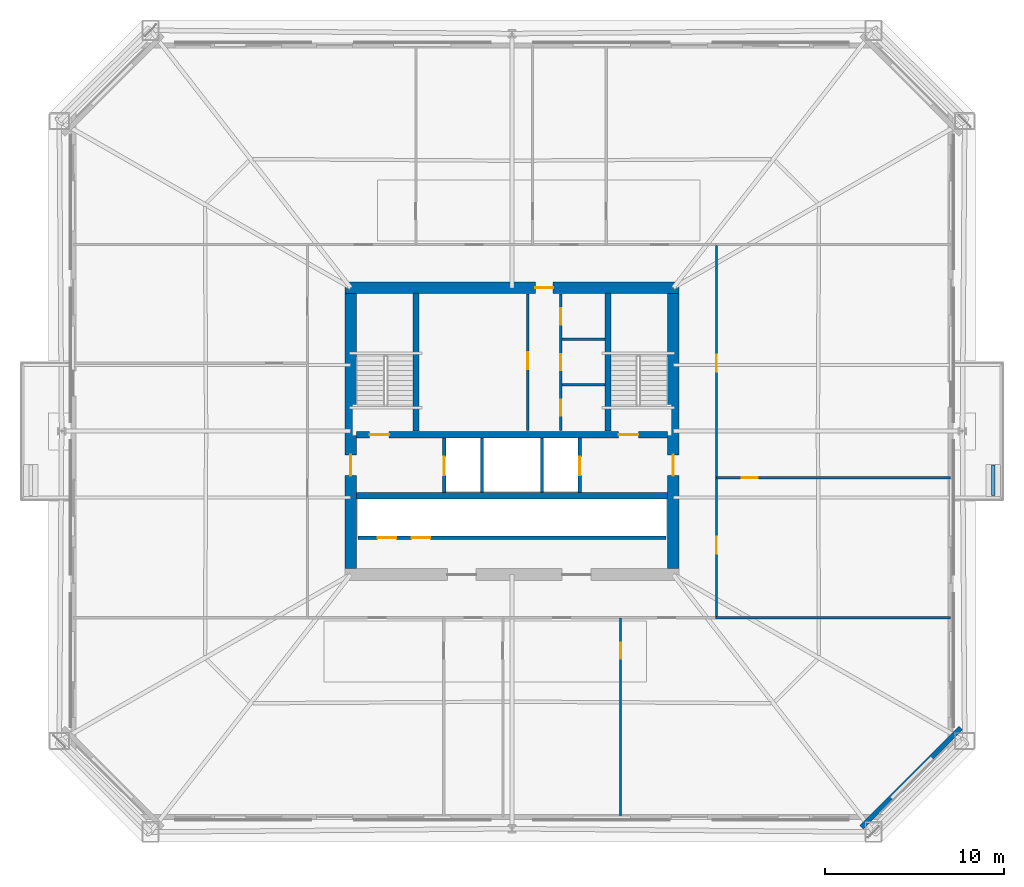
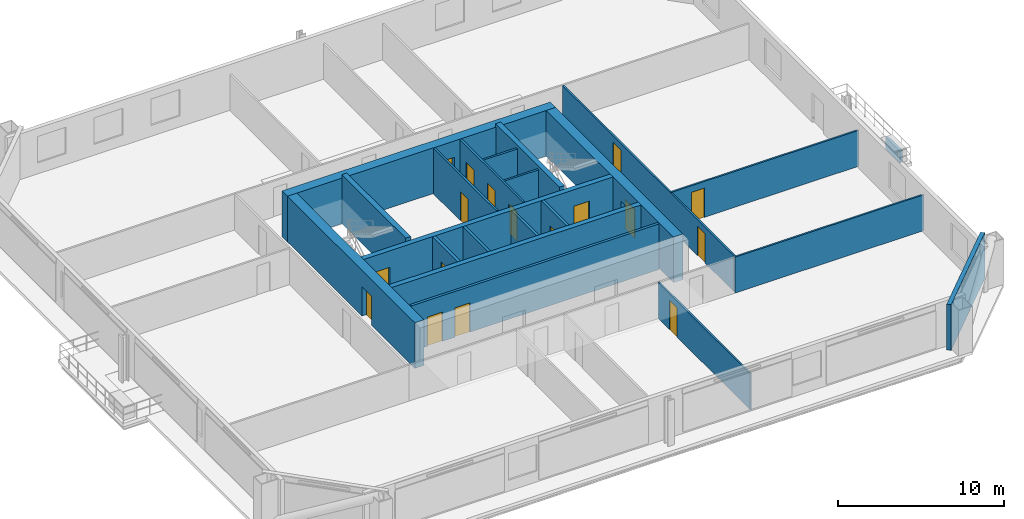
# One storey, part 6 of 11: 22 walls, 17 doors, 17 openings.
"""IFC4 building model written with IfcOpenShell, lengths in metres."""

from ifc_helpers import new_model, si_unit, direction, frame, frame_2d, origin, place, context, subcontext, project, spatial, rectangle, extrude, material, layer, layer_set, type_object, element, fill, save


model = new_model("IFC4")

# Units and contexts
model_context = context("Model", 3, precision=1e-05, world=origin(), true_north=direction((0.0, 1.0)))
body_context = subcontext(model_context, "Body", "Model", "MODEL_VIEW")
ifc_project = project(units=[si_unit("LENGTHUNIT", "METRE"), si_unit("AREAUNIT", "SQUARE_METRE"), si_unit("VOLUMEUNIT", "CUBIC_METRE"), si_unit("PLANEANGLEUNIT", "RADIAN"), si_unit("MASSUNIT", "GRAM", prefix="KILO")], contexts=[model_context])

# Site, building, storey
site_placement = place(None, origin())
site = spatial("IfcSite", under=ifc_project, at=site_placement, CompositionType="ELEMENT")
building_placement = place(site_placement, origin())
building = spatial("IfcBuilding", under=site, at=building_placement, Name="Caelvoria Tower", CompositionType="ELEMENT")
storey_placement = place(building_placement, frame((0.0, 0.0, 64.0)))
storey = spatial("IfcBuildingStorey", under=building, at=storey_placement, Name="L16", CompositionType="ELEMENT", Elevation=64.0)

# Wall
ifc_material_1 = material(Name="Bronze-Clad Concrete C40/50", Category="concrete")
ifc_layer_1 = layer(ifc_material_1, 0.179931640625, Name="Bronze-Clad Concrete C40/50")
ifc_layer_set_1 = layer_set([ifc_layer_1], Name="Architectural Planter Kerb Wall 180 - Bronze-Clad Concrete C40/50")
wall_type_1 = type_object("IfcWallType", Name="Architectural Planter Kerb Wall 180", PredefinedType="PARAPET", material=ifc_layer_set_1)
wall_1_placement = place(storey_placement, frame((72.85009765625, 28.39990234375, 0.0), z_axis=(0.0, 0.0, 1.0), x_axis=(0.0, 1.0, 0.0)))
element("IfcWall", 1, at=wall_1_placement, inside=storey, type_object=wall_type_1, Name="Tree Balcony Planter Kerb PLANTER TB-L16-E", PredefinedType="PARAPET", context=body_context, shape_type="SweptSolid", body=[
    extrude(rectangle(XDim=1.7001953125, YDim=0.179931640625, at=frame_2d((0.85009765625, 0.0))), origin(), (0.0, 0.0, 1.0), 0.8798828125),
])

# Wall, openings, doors
ifc_material_2 = material(Name="Concrete C50/60", Category="concrete")
ifc_layer_2 = layer(ifc_material_2, 0.35009765625, Name="Concrete C50/60")
ifc_layer_set_2 = layer_set([ifc_layer_2], Name="Core Internal Shear Wall 350 - Concrete C50/60")
wall_type_2 = type_object("IfcWallType", Name="Core Internal Shear Wall 350", PredefinedType="SHEAR", material=ifc_layer_set_2)
wall_2_placement = place(storey_placement, frame((37.324951171875, 31.800048828125, 0.0), z_axis=(0.0, 0.0, 1.0), x_axis=(1.0, 0.0, 0.0)))
wall_2 = element("IfcWall", 2, at=wall_2_placement, inside=storey, type_object=wall_type_2, Name="Core Shear Wall L16 M1", PredefinedType="SHEAR", context=body_context, shape_type="SweptSolid", body=[
    extrude(rectangle(XDim=17.35009765625, YDim=0.35009765625, at=frame_2d((8.675048828125, 0.0))), origin(), (0.0, 0.0, 1.0), 3.360107421875),
])
opening_1_placement = place(wall_2_placement, frame((0.72509765625, 0.0, 0.0)))
opening_1 = element("IfcOpeningElement", 3, at=opening_1_placement, cuts=wall_2, Name="Opening ID-01", PredefinedType="OPENING", context=body_context, shape_type="SweptSolid", body=[
    extrude(rectangle(XDim=1.10009765625, YDim=2.14990234375, at=frame_2d((0.550048828125, 1.074951171875))), frame((0.0, 0.18505859375, 0.0), z_axis=(0.0, -1.0, 0.0), x_axis=(1.0, 0.0, 0.0)), (0.0, 0.0, 1.0), 0.3701171875),
])
opening_2_placement = place(wall_2_placement, frame((14.625, 0.0, 0.0)))
opening_2 = element("IfcOpeningElement", 4, at=opening_2_placement, cuts=wall_2, Name="Opening ID-01", PredefinedType="OPENING", context=body_context, shape_type="SweptSolid", body=[
    extrude(rectangle(XDim=1.10009765625, YDim=2.14990234375, at=frame_2d((0.550048828125, 1.074951171875))), frame((0.0, 0.18505859375, 0.0), z_axis=(0.0, -1.0, 0.0), x_axis=(1.0, 0.0, 0.0)), (0.0, 0.0, 1.0), 0.3701171875),
])
ifc_material_3 = material(Name="Painted Hollow Steel Fire Door", Category="steel")
door_type_1 = type_object("IfcDoorType", Name="Fire Door FD90S 1100x2150", OperationType="NOTDEFINED", PredefinedType="DOOR", material=ifc_material_3)
door_1_placement = place(opening_1_placement, origin())
door_1 = element("IfcDoor", 5, at=door_1_placement, inside=storey, type_object=door_type_1, Name="Core Door DR-L16-ST1", OperationType="SINGLE_SWING_LEFT", OverallHeight=2.14990234375, OverallWidth=1.10009765625, PredefinedType="DOOR", context=body_context, shape_type="SweptSolid", body=[
    extrude(rectangle(XDim=1.10009765625, YDim=2.14990234375, at=frame_2d((0.550048828125, 1.074951171875))), frame((0.0, 0.02490234375, 0.0), z_axis=(0.0, -1.0, 0.0), x_axis=(1.0, 0.0, 0.0)), (0.0, 0.0, 1.0), 0.050048828125),
])
fill(opening_1, door_1)
door_2_placement = place(opening_2_placement, origin())
door_2 = element("IfcDoor", 6, at=door_2_placement, inside=storey, type_object=door_type_1, Name="Core Door DR-L16-ST2", OperationType="SINGLE_SWING_RIGHT", OverallHeight=2.14990234375, OverallWidth=1.10009765625, PredefinedType="DOOR", context=body_context, shape_type="SweptSolid", body=[
    extrude(rectangle(XDim=1.10009765625, YDim=2.14990234375, at=frame_2d((0.550048828125, 1.074951171875))), frame((0.0, 0.02490234375, 0.0), z_axis=(0.0, -1.0, 0.0), x_axis=(1.0, 0.0, 0.0)), (0.0, 0.0, 1.0), 0.050048828125),
])
fill(opening_2, door_2)

# Walls
wall_3_placement = place(storey_placement, frame((37.324951171875, 28.39990234375, 0.0), z_axis=(0.0, 0.0, 1.0), x_axis=(1.0, 0.0, 0.0)))
element("IfcWall", 7, at=wall_3_placement, inside=storey, type_object=wall_type_2, Name="Core Shear Wall L16 M2", PredefinedType="SHEAR", context=body_context, shape_type="SweptSolid", body=[
    extrude(rectangle(XDim=17.35009765625, YDim=0.35009765625, at=frame_2d((8.675048828125, 0.0))), origin(), (0.0, 0.0, 1.0), 3.360107421875),
])
for number, where, z_axis, x_axis, name in (
    (8, (40.64990234375, 32.0, 0.0), (0.0, 0.0, 1.0), (0.0, 1.0, 0.0), "Interior Partition IW-L16-ST1E"),
    (9, (51.35009765625, 32.0, 0.0), (0.0, 0.0, 1.0), (0.0, 1.0, 0.0), "Interior Partition IW-L16-ST2W"),
):
    element("IfcWall", number, at=place(storey_placement, frame(where, z_axis=z_axis, x_axis=x_axis)), inside=storey, type_object=wall_type_2, Name=name, PredefinedType="SHEAR", context=body_context, shape_type="SweptSolid", body=[
        extrude(rectangle(XDim=7.699951171875, YDim=0.35009765625, at=frame_2d((3.85009765625, 0.0))), origin(), (0.0, 0.0, 1.0), 3.60009765625),
    ])

# Wall, opening, door
ifc_material_4 = material(Name="Moisture-Resistant Gypsum on Steel Stud", Category="steel")
ifc_layer_3 = layer(ifc_material_4, 0.139892578125, Name="Moisture-Resistant Gypsum on Steel Stud")
ifc_layer_set_3 = layer_set([ifc_layer_3], Name="Core Sanitary Acoustic Partition Wall 140 - Moisture-Resistant Gypsum on Steel Stud")
wall_type_3 = type_object("IfcWallType", Name="Core Sanitary Acoustic Partition Wall 140", PredefinedType="PARTITIONING", material=ifc_layer_set_3)
wall_4_placement = place(storey_placement, frame((46.8798828125, 32.050048828125, 0.0), z_axis=(0.0, 0.0, 1.0), x_axis=(0.0, 1.0, 0.0)))
wall_4 = element("IfcWall", 10, at=wall_4_placement, inside=storey, type_object=wall_type_3, Name="Interior Partition IW-L16-C2L", PredefinedType="PARTITIONING", context=body_context, shape_type="SweptSolid", body=[
    extrude(rectangle(XDim=7.599853515625, YDim=0.139892578125, at=frame_2d((3.7998046875, 0.0))), origin(), (0.0, 0.0, 1.0), 3.360107421875),
])
opening_3_placement = place(wall_4_placement, frame((3.39990234375, 0.0, 0.0)))
opening_3 = element("IfcOpeningElement", 11, at=opening_3_placement, cuts=wall_4, Name="Opening ID-05", PredefinedType="OPENING", context=body_context, shape_type="SweptSolid", body=[
    extrude(rectangle(XDim=0.949951171875, YDim=2.14990234375, at=frame_2d((0.47509765625, 1.074951171875))), frame((0.0, 0.079833984375, 0.0), z_axis=(0.0, -1.0, 0.0), x_axis=(1.0, 0.0, 0.0)), (0.0, 0.0, 1.0), 0.159912109375),
])
ifc_material_5 = material(Name="Engineered Andean Oak Veneer Door", Category="wood")
door_type_2 = type_object("IfcDoorType", Name="Interior Timber Door 950x2150", OperationType="NOTDEFINED", PredefinedType="DOOR", material=ifc_material_5)
door_3_placement = place(opening_3_placement, origin())
door_3 = element("IfcDoor", 12, at=door_3_placement, inside=storey, type_object=door_type_2, Name="Interior Door DR-L16-C2W", OperationType="SINGLE_SWING_LEFT", OverallHeight=2.14990234375, OverallWidth=0.949951171875, PredefinedType="DOOR", context=body_context, shape_type="SweptSolid", body=[
    extrude(rectangle(XDim=0.949951171875, YDim=2.14990234375, at=frame_2d((0.47509765625, 1.074951171875))), frame((0.0, 0.02490234375, 0.0), z_axis=(0.0, -1.0, 0.0), x_axis=(1.0, 0.0, 0.0)), (0.0, 0.0, 1.0), 0.050048828125),
])
fill(opening_3, door_3)

# Wall, openings, doors
wall_5_placement = place(storey_placement, frame((48.719970703125, 32.050048828125, 0.0), z_axis=(0.0, 0.0, 1.0), x_axis=(0.0, 1.0, 0.0)))
wall_5 = element("IfcWall", 13, at=wall_5_placement, inside=storey, type_object=wall_type_3, Name="Interior Partition IW-L16-C2R", PredefinedType="PARTITIONING", context=body_context, shape_type="SweptSolid", body=[
    extrude(rectangle(XDim=7.599853515625, YDim=0.139892578125, at=frame_2d((3.7998046875, 0.0))), origin(), (0.0, 0.0, 1.0), 3.360107421875),
])
opening_4_placement = place(wall_5_placement, frame((0.800048828125, 0.0, 0.0)))
opening_4 = element("IfcOpeningElement", 14, at=opening_4_placement, cuts=wall_5, Name="Opening ID-04", PredefinedType="OPENING", context=body_context, shape_type="SweptSolid", body=[
    extrude(rectangle(XDim=0.89990234375, YDim=2.14990234375, at=frame_2d((0.449951171875, 1.074951171875))), frame((0.0, 0.079833984375, 0.0), z_axis=(0.0, -1.0, 0.0), x_axis=(1.0, 0.0, 0.0)), (0.0, 0.0, 1.0), 0.159912109375),
])
opening_5_placement = place(wall_5_placement, frame((3.35009765625, 0.0, 0.0)))
opening_5 = element("IfcOpeningElement", 15, at=opening_5_placement, cuts=wall_5, Name="Opening ID-06", PredefinedType="OPENING", context=body_context, shape_type="SweptSolid", body=[
    extrude(rectangle(XDim=0.89990234375, YDim=2.14990234375, at=frame_2d((0.449951171875, 1.074951171875))), frame((0.0, 0.079833984375, 0.0), z_axis=(0.0, -1.0, 0.0), x_axis=(1.0, 0.0, 0.0)), (0.0, 0.0, 1.0), 0.159912109375),
])
opening_6_placement = place(wall_5_placement, frame((5.89990234375, 0.0, 0.0)))
opening_6 = element("IfcOpeningElement", 16, at=opening_6_placement, cuts=wall_5, Name="Opening ID-07", PredefinedType="OPENING", context=body_context, shape_type="SweptSolid", body=[
    extrude(rectangle(XDim=0.919921875, YDim=2.14990234375, at=frame_2d((0.4599609375, 1.074951171875))), frame((0.0, 0.079833984375, 0.0), z_axis=(0.0, -1.0, 0.0), x_axis=(1.0, 0.0, 0.0)), (0.0, 0.0, 1.0), 0.159912109375),
])
ifc_material_6 = material(Name="Engineered Andean Oak Accessible Door", Category="wood")
door_type_3 = type_object("IfcDoorType", Name="Accessible WC Door 950x2150", OperationType="NOTDEFINED", PredefinedType="DOOR", material=ifc_material_6)
door_4_placement = place(opening_6_placement, origin())
door_4 = element("IfcDoor", 17, at=door_4_placement, inside=storey, type_object=door_type_3, Name="Interior Door DR-L16-C2E3", OperationType="SINGLE_SWING_RIGHT", OverallHeight=2.14990234375, OverallWidth=0.919921875, PredefinedType="DOOR", context=body_context, shape_type="SweptSolid", body=[
    extrude(rectangle(XDim=0.919921875, YDim=2.14990234375, at=frame_2d((0.4599609375, 1.074951171875))), frame((0.0, 0.02490234375, 0.0), z_axis=(0.0, -1.0, 0.0), x_axis=(1.0, 0.0, 0.0)), (0.0, 0.0, 1.0), 0.050048828125),
])
fill(opening_6, door_4)
ifc_material_7 = material(Name="Acoustic Timber Fire Door", Category="wood")
door_type_4 = type_object("IfcDoorType", Name="Fire Door FD30S 900x2150", OperationType="NOTDEFINED", PredefinedType="DOOR", material=ifc_material_7)
door_5_placement = place(opening_4_placement, origin())
door_5 = element("IfcDoor", 18, at=door_5_placement, inside=storey, type_object=door_type_4, Name="Interior Door DR-L16-C2E1", OperationType="SINGLE_SWING_RIGHT", OverallHeight=2.14990234375, OverallWidth=0.89990234375, PredefinedType="DOOR", context=body_context, shape_type="SweptSolid", body=[
    extrude(rectangle(XDim=0.89990234375, YDim=2.14990234375, at=frame_2d((0.449951171875, 1.074951171875))), frame((0.0, 0.02490234375, 0.0), z_axis=(0.0, -1.0, 0.0), x_axis=(1.0, 0.0, 0.0)), (0.0, 0.0, 1.0), 0.050048828125),
])
fill(opening_4, door_5)
door_type_5 = type_object("IfcDoorType", Name="Interior Timber Door 900x2150", OperationType="NOTDEFINED", PredefinedType="DOOR", material=ifc_material_5)
door_6_placement = place(opening_5_placement, origin())
door_6 = element("IfcDoor", 19, at=door_6_placement, inside=storey, type_object=door_type_5, Name="Interior Door DR-L16-C2E2", OperationType="SINGLE_SWING_LEFT", OverallHeight=2.14990234375, OverallWidth=0.89990234375, PredefinedType="DOOR", context=body_context, shape_type="SweptSolid", body=[
    extrude(rectangle(XDim=0.89990234375, YDim=2.14990234375, at=frame_2d((0.449951171875, 1.074951171875))), frame((0.0, 0.02490234375, 0.0), z_axis=(0.0, -1.0, 0.0), x_axis=(1.0, 0.0, 0.0)), (0.0, 0.0, 1.0), 0.050048828125),
])
fill(opening_5, door_6)

# Walls
for number, where, z_axis, x_axis, name in (
    (20, (48.800048828125, 34.580078125, 0.0), (0.0, 0.0, 1.0), (1.0, 0.0, 0.0), "Interior Partition IW-L16-C2H1"),
    (21, (48.800048828125, 37.1201171875, 0.0), (0.0, 0.0, 1.0), (1.0, 0.0, 0.0), "Interior Partition IW-L16-C2H2"),
):
    element("IfcWall", number, at=place(storey_placement, frame(where, z_axis=z_axis, x_axis=x_axis)), inside=storey, type_object=wall_type_3, Name=name, PredefinedType="PARTITIONING", context=body_context, shape_type="SweptSolid", body=[
        extrude(rectangle(XDim=2.39990234375, YDim=0.139892578125, at=frame_2d((1.199951171875, 0.0))), origin(), (0.0, 0.0, 1.0), 3.360107421875),
    ])
ifc_material_8 = material(Name="Precast Concrete C40/50 with Bronze Cladding", Category="concrete")
ifc_layer_4 = layer(ifc_material_8, 0.280029296875, Name="Precast Concrete C40/50 with Bronze Cladding")
ifc_layer_set_4 = layer_set([ifc_layer_4], Name="Exterior Precast Concrete C40/50 Bronze-Clad Facade Wall 280 - Precast Concrete C40/50 with Bronze Cladding")
wall_type_4 = type_object("IfcWallType", Name="Exterior Precast Concrete C40/50 Bronze-Clad Facade Wall 280", PredefinedType="STANDARD", material=ifc_layer_set_4)
wall_6_placement = place(storey_placement, frame((65.50439453125, 9.906005859375, 0.0), z_axis=(0.0, 0.0, 1.0), x_axis=(0.707106781187, 0.707106781187, 0.0)))
element("IfcWall", 22, at=wall_6_placement, inside=storey, type_object=wall_type_4, Name="Exterior Facade Wall L16-E1", PredefinedType="STANDARD", context=body_context, shape_type="SweptSolid", body=[
    extrude(rectangle(XDim=7.834228515625, YDim=0.280029296875, at=frame_2d((3.9169921875, 0.0))), origin(), (0.0, 0.0, 1.0), 3.360107421875),
])
ifc_material_9 = material(Name="Concrete Block and Fireboard Assembly", Category="concrete")
ifc_layer_5 = layer(ifc_material_9, 0.179931640625, Name="Concrete Block and Fireboard Assembly")
ifc_layer_set_5 = layer_set([ifc_layer_5], Name="Fire-Rated Hoistway Partition Wall 180 - Concrete Block and Fireboard Assembly")
wall_type_5 = type_object("IfcWallType", Name="Fire-Rated Hoistway Partition Wall 180", PredefinedType="PARTITIONING", material=ifc_layer_set_5)
for number, where, z_axis, x_axis, name in (
    (23, (44.320068359375, 28.580078125, 0.0), (0.0, 0.0, 1.0), (0.0, 1.0, 0.0), "Interior Partition IW-L16-SV1W"),
    (24, (47.679931640625, 28.580078125, 0.0), (0.0, 0.0, 1.0), (0.0, 1.0, 0.0), "Interior Partition IW-L16-SV1E"),
):
    element("IfcWall", number, at=place(storey_placement, frame(where, z_axis=z_axis, x_axis=x_axis)), inside=storey, type_object=wall_type_5, Name=name, PredefinedType="PARTITIONING", context=body_context, shape_type="SweptSolid", body=[
        extrude(rectangle(XDim=3.0400390625, YDim=0.179931640625, at=frame_2d((1.52001953125, 0.0))), origin(), (0.0, 0.0, 1.0), 3.360107421875),
    ])

# Wall, openings, doors
wall_7_placement = place(storey_placement, frame((37.39990234375, 26.050048828125, 0.0), z_axis=(0.0, 0.0, 1.0), x_axis=(1.0, 0.0, 0.0)))
wall_7 = element("IfcWall", 25, at=wall_7_placement, inside=storey, type_object=wall_type_5, Name="Interior Partition IW-L16-LFRONT", PredefinedType="PARTITIONING", context=body_context, shape_type="SweptSolid", body=[
    extrude(rectangle(XDim=17.2001953125, YDim=0.179931640625, at=frame_2d((8.60009765625, 0.0))), origin(), (0.0, 0.0, 1.0), 3.360107421875),
])
opening_7_placement = place(wall_7_placement, frame((1.10009765625, 0.0, 0.0)))
opening_7 = element("IfcOpeningElement", 26, at=opening_7_placement, cuts=wall_7, Name="Opening LD-01", PredefinedType="OPENING", context=body_context, shape_type="SweptSolid", body=[
    extrude(rectangle(XDim=1.050048828125, YDim=2.14990234375, at=frame_2d((0.52490234375, 1.074951171875))), frame((0.0, 0.099853515625, 0.0), z_axis=(0.0, -1.0, 0.0), x_axis=(1.0, 0.0, 0.0)), (0.0, 0.0, 1.0), 0.199951171875),
])
opening_8_placement = place(wall_7_placement, frame((3.0, 0.0, 0.0)))
opening_8 = element("IfcOpeningElement", 27, at=opening_8_placement, cuts=wall_7, Name="Opening LD-01", PredefinedType="OPENING", context=body_context, shape_type="SweptSolid", body=[
    extrude(rectangle(XDim=1.050048828125, YDim=2.14990234375, at=frame_2d((0.52490234375, 1.074951171875))), frame((0.0, 0.099853515625, 0.0), z_axis=(0.0, -1.0, 0.0), x_axis=(1.0, 0.0, 0.0)), (0.0, 0.0, 1.0), 0.199951171875),
])
ifc_material_10 = material(Name="Brushed Bronze Stainless Sliding Landing Door", Category="aluminium")
door_type_6 = type_object("IfcDoorType", Name="Lift Landing Sliding Door 1100x2150", OperationType="NOTDEFINED", PredefinedType="DOOR", material=ifc_material_10)
door_7_placement = place(opening_7_placement, origin())
door_7 = element("IfcDoor", 28, at=door_7_placement, inside=storey, type_object=door_type_6, Name="Interior Door LD-L16-PL1", OperationType="SLIDING_TO_LEFT", OverallHeight=2.14990234375, OverallWidth=1.050048828125, PredefinedType="DOOR", context=body_context, shape_type="SweptSolid", body=[
    extrude(rectangle(XDim=1.050048828125, YDim=2.14990234375, at=frame_2d((0.52490234375, 1.074951171875))), frame((0.0, 0.02490234375, 0.0), z_axis=(0.0, -1.0, 0.0), x_axis=(1.0, 0.0, 0.0)), (0.0, 0.0, 1.0), 0.050048828125),
])
fill(opening_7, door_7)
door_8_placement = place(opening_8_placement, origin())
door_8 = element("IfcDoor", 29, at=door_8_placement, inside=storey, type_object=door_type_6, Name="Interior Door LD-L16-PL2", OperationType="SLIDING_TO_RIGHT", OverallHeight=2.14990234375, OverallWidth=1.050048828125, PredefinedType="DOOR", context=body_context, shape_type="SweptSolid", body=[
    extrude(rectangle(XDim=1.050048828125, YDim=2.14990234375, at=frame_2d((0.52490234375, 1.074951171875))), frame((0.0, 0.02490234375, 0.0), z_axis=(0.0, -1.0, 0.0), x_axis=(1.0, 0.0, 0.0)), (0.0, 0.0, 1.0), 0.050048828125),
])
fill(opening_8, door_8)

# Wall, opening, door
ifc_layer_6 = layer(ifc_material_9, 0.199951171875, Name="Concrete Block and Fireboard Assembly")
ifc_layer_set_6 = layer_set([ifc_layer_6], Name="Fire-Rated Shaft and Core Partition Wall 200 - Concrete Block and Fireboard Assembly")
wall_type_6 = type_object("IfcWallType", Name="Fire-Rated Shaft and Core Partition Wall 200", PredefinedType="PARTITIONING", material=ifc_layer_set_6)
wall_8_placement = place(storey_placement, frame((42.219970703125, 28.580078125, 0.0), z_axis=(0.0, 0.0, 1.0), x_axis=(0.0, 1.0, 0.0)))
wall_8 = element("IfcWall", 30, at=wall_8_placement, inside=storey, type_object=wall_type_6, Name="Interior Partition IW-L16-LF1W", PredefinedType="PARTITIONING", context=body_context, shape_type="SweptSolid", body=[
    extrude(rectangle(XDim=3.0400390625, YDim=0.199951171875, at=frame_2d((1.52001953125, 0.0))), origin(), (0.0, 0.0, 1.0), 3.360107421875),
])
opening_9_placement = place(wall_8_placement, frame((0.949951171875, 0.0, 0.0)))
opening_9 = element("IfcOpeningElement", 31, at=opening_9_placement, cuts=wall_8, Name="Opening LD-01", PredefinedType="OPENING", context=body_context, shape_type="SweptSolid", body=[
    extrude(rectangle(XDim=1.050048828125, YDim=2.14990234375, at=frame_2d((0.52490234375, 1.074951171875))), frame((0.0, 0.10986328125, 0.0), z_axis=(0.0, -1.0, 0.0), x_axis=(1.0, 0.0, 0.0)), (0.0, 0.0, 1.0), 0.219970703125),
])
door_9_placement = place(opening_9_placement, origin())
door_9 = element("IfcDoor", 32, at=door_9_placement, inside=storey, type_object=door_type_6, Name="Interior Door LD-L16-LF1", OperationType="SLIDING_TO_LEFT", OverallHeight=2.14990234375, OverallWidth=1.050048828125, PredefinedType="DOOR", context=body_context, shape_type="SweptSolid", body=[
    extrude(rectangle(XDim=1.050048828125, YDim=2.14990234375, at=frame_2d((0.52490234375, 1.074951171875))), frame((0.0, 0.02490234375, 0.0), z_axis=(0.0, -1.0, 0.0), x_axis=(1.0, 0.0, 0.0)), (0.0, 0.0, 1.0), 0.050048828125),
])
fill(opening_9, door_9)

wall_9_placement = place(storey_placement, frame((49.780029296875, 28.580078125, 0.0), z_axis=(0.0, 0.0, 1.0), x_axis=(0.0, 1.0, 0.0)))
wall_9 = element("IfcWall", 33, at=wall_9_placement, inside=storey, type_object=wall_type_6, Name="Interior Partition IW-L16-LF2E", PredefinedType="PARTITIONING", context=body_context, shape_type="SweptSolid", body=[
    extrude(rectangle(XDim=3.0400390625, YDim=0.199951171875, at=frame_2d((1.52001953125, 0.0))), origin(), (0.0, 0.0, 1.0), 3.360107421875),
])
opening_10_placement = place(wall_9_placement, frame((0.949951171875, 0.0, 0.0)))
opening_10 = element("IfcOpeningElement", 34, at=opening_10_placement, cuts=wall_9, Name="Opening LD-01", PredefinedType="OPENING", context=body_context, shape_type="SweptSolid", body=[
    extrude(rectangle(XDim=1.050048828125, YDim=2.14990234375, at=frame_2d((0.52490234375, 1.074951171875))), frame((0.0, 0.10986328125, 0.0), z_axis=(0.0, -1.0, 0.0), x_axis=(1.0, 0.0, 0.0)), (0.0, 0.0, 1.0), 0.219970703125),
])
door_10_placement = place(opening_10_placement, origin())
door_10 = element("IfcDoor", 35, at=door_10_placement, inside=storey, type_object=door_type_6, Name="Interior Door LD-L16-LF2", OperationType="SLIDING_TO_RIGHT", OverallHeight=2.14990234375, OverallWidth=1.050048828125, PredefinedType="DOOR", context=body_context, shape_type="SweptSolid", body=[
    extrude(rectangle(XDim=1.050048828125, YDim=2.14990234375, at=frame_2d((0.52490234375, 1.074951171875))), frame((0.0, 0.02490234375, 0.0), z_axis=(0.0, -1.0, 0.0), x_axis=(1.0, 0.0, 0.0)), (0.0, 0.0, 1.0), 0.050048828125),
])
fill(opening_10, door_10)

ifc_material_11 = material(Name="Concrete C60/75", Category="concrete")
ifc_layer_7 = layer(ifc_material_11, 0.64990234375, Name="Concrete C60/75")
ifc_layer_set_7 = layer_set([ifc_layer_7], Name="Lower Core Shear Wall 650 - Concrete C60/75")
wall_type_7 = type_object("IfcWallType", Name="Lower Core Shear Wall 650", PredefinedType="SHEAR", material=ifc_layer_set_7)
wall_10_placement = place(storey_placement, frame((36.675048828125, 40.0, 0.0), z_axis=(0.0, 0.0, 1.0), x_axis=(1.0, 0.0, 0.0)))
wall_10 = element("IfcWall", 36, at=wall_10_placement, inside=storey, type_object=wall_type_7, Name="Core Shear Wall L16 N", PredefinedType="SHEAR", context=body_context, shape_type="SweptSolid", body=[
    extrude(rectangle(XDim=18.64990234375, YDim=0.64990234375, at=frame_2d((9.324951171875, 0.0))), origin(), (0.0, 0.0, 1.0), 3.360107421875),
])
opening_11_placement = place(wall_10_placement, frame((10.625, 0.0, 0.0)))
opening_11 = element("IfcOpeningElement", 37, at=opening_11_placement, cuts=wall_10, Name="Opening ID-03", PredefinedType="OPENING", context=body_context, shape_type="SweptSolid", body=[
    extrude(rectangle(XDim=1.0, YDim=2.14990234375, at=frame_2d((0.5, 1.074951171875))), frame((0.0, 0.3349609375, 0.0), z_axis=(0.0, -1.0, 0.0), x_axis=(1.0, 0.0, 0.0)), (0.0, 0.0, 1.0), 0.669921875),
])
door_type_7 = type_object("IfcDoorType", Name="Fire Door FD60S 1000x2150", OperationType="NOTDEFINED", PredefinedType="DOOR", material=ifc_material_3)
door_11_placement = place(opening_11_placement, origin())
door_11 = element("IfcDoor", 38, at=door_11_placement, inside=storey, type_object=door_type_7, Name="Core Door DR-L16-WC-MAIN", OperationType="SINGLE_SWING_RIGHT", OverallHeight=2.14990234375, OverallWidth=1.0, PredefinedType="DOOR", context=body_context, shape_type="SweptSolid", body=[
    extrude(rectangle(XDim=1.0, YDim=2.14990234375, at=frame_2d((0.5, 1.074951171875))), frame((0.0, 0.02490234375, 0.0), z_axis=(0.0, -1.0, 0.0), x_axis=(1.0, 0.0, 0.0)), (0.0, 0.0, 1.0), 0.050048828125),
])
fill(opening_11, door_11)

wall_11_placement = place(storey_placement, frame((37.0, 24.324951171875, 0.0), z_axis=(0.0, 0.0, 1.0), x_axis=(0.0, 1.0, 0.0)))
wall_11 = element("IfcWall", 39, at=wall_11_placement, inside=storey, type_object=wall_type_7, Name="Core Shear Wall L16 W", PredefinedType="SHEAR", context=body_context, shape_type="SweptSolid", body=[
    extrude(rectangle(XDim=15.35009765625, YDim=0.64990234375, at=frame_2d((7.675048828125, 0.0))), origin(), (0.0, 0.0, 1.0), 3.360107421875),
])
opening_12_placement = place(wall_11_placement, frame((5.199951171875, 0.0, 0.0)))
opening_12 = element("IfcOpeningElement", 40, at=opening_12_placement, cuts=wall_11, Name="Opening ID-02", PredefinedType="OPENING", context=body_context, shape_type="SweptSolid", body=[
    extrude(rectangle(XDim=1.14990234375, YDim=2.14990234375, at=frame_2d((0.574951171875, 1.074951171875))), frame((0.0, 0.3349609375, 0.0), z_axis=(0.0, -1.0, 0.0), x_axis=(1.0, 0.0, 0.0)), (0.0, 0.0, 1.0), 0.669921875),
])
door_type_8 = type_object("IfcDoorType", Name="Fire Door FD60S 1150x2150", OperationType="NOTDEFINED", PredefinedType="DOOR", material=ifc_material_3)
door_12_placement = place(opening_12_placement, origin())
door_12 = element("IfcDoor", 41, at=door_12_placement, inside=storey, type_object=door_type_8, Name="Core Door DR-L16-FFLW-OUT", OperationType="SINGLE_SWING_LEFT", OverallHeight=2.14990234375, OverallWidth=1.14990234375, PredefinedType="DOOR", context=body_context, shape_type="SweptSolid", body=[
    extrude(rectangle(XDim=1.14990234375, YDim=2.14990234375, at=frame_2d((0.574951171875, 1.074951171875))), frame((0.0, 0.02490234375, 0.0), z_axis=(0.0, -1.0, 0.0), x_axis=(1.0, 0.0, 0.0)), (0.0, 0.0, 1.0), 0.050048828125),
])
fill(opening_12, door_12)

wall_12_placement = place(storey_placement, frame((55.0, 24.324951171875, 0.0), z_axis=(0.0, 0.0, 1.0), x_axis=(0.0, 1.0, 0.0)))
wall_12 = element("IfcWall", 42, at=wall_12_placement, inside=storey, type_object=wall_type_7, Name="Core Shear Wall L16 E", PredefinedType="SHEAR", context=body_context, shape_type="SweptSolid", body=[
    extrude(rectangle(XDim=15.35009765625, YDim=0.64990234375, at=frame_2d((7.675048828125, 0.0))), origin(), (0.0, 0.0, 1.0), 3.360107421875),
])
opening_13_placement = place(wall_12_placement, frame((5.199951171875, 0.0, 0.0)))
opening_13 = element("IfcOpeningElement", 43, at=opening_13_placement, cuts=wall_12, Name="Opening ID-02", PredefinedType="OPENING", context=body_context, shape_type="SweptSolid", body=[
    extrude(rectangle(XDim=1.14990234375, YDim=2.14990234375, at=frame_2d((0.574951171875, 1.074951171875))), frame((0.0, 0.3349609375, 0.0), z_axis=(0.0, -1.0, 0.0), x_axis=(1.0, 0.0, 0.0)), (0.0, 0.0, 1.0), 0.669921875),
])
door_13_placement = place(opening_13_placement, origin())
door_13 = element("IfcDoor", 44, at=door_13_placement, inside=storey, type_object=door_type_8, Name="Core Door DR-L16-FFLE-OUT", OperationType="SINGLE_SWING_RIGHT", OverallHeight=2.14990234375, OverallWidth=1.14990234375, PredefinedType="DOOR", context=body_context, shape_type="SweptSolid", body=[
    extrude(rectangle(XDim=1.14990234375, YDim=2.14990234375, at=frame_2d((0.574951171875, 1.074951171875))), frame((0.0, 0.02490234375, 0.0), z_axis=(0.0, -1.0, 0.0), x_axis=(1.0, 0.0, 0.0)), (0.0, 0.0, 1.0), 0.050048828125),
])
fill(opening_13, door_13)

ifc_material_12 = material(Name="Acoustic Gypsum Board on Light-Gauge Stud", Category="gypsum")
ifc_layer_8 = layer(ifc_material_12, 0.1201171875, Name="Acoustic Gypsum Board on Light-Gauge Stud")
ifc_layer_set_8 = layer_set([ifc_layer_8], Name="Tenant Suite Acoustic Partition Wall 120 - Acoustic Gypsum Board on Light-Gauge Stud")
wall_type_8 = type_object("IfcWallType", Name="Tenant Suite Acoustic Partition Wall 120", PredefinedType="PARTITIONING", material=ifc_layer_set_8)
wall_13_placement = place(storey_placement, frame((52.05810546875, 21.590087890625, 0.0), z_axis=(0.0, 0.0, 1.0), x_axis=(0.0, -1.0, 0.0)))
wall_13 = element("IfcWall", 45, at=wall_13_placement, inside=storey, type_object=wall_type_8, Name="Interior Partition IW-L16-SD-02-0", PredefinedType="PARTITIONING", context=body_context, shape_type="SweptSolid", body=[
    extrude(rectangle(XDim=11.110107421875, YDim=0.1201171875, at=frame_2d((5.55517578125, 0.0))), origin(), (0.0, 0.0, 1.0), 2.639892578125),
])
opening_14_placement = place(wall_13_placement, frame((1.39990234375, 0.0, 0.0)))
opening_14 = element("IfcOpeningElement", 46, at=opening_14_placement, cuts=wall_13, Name="Opening ID-06", PredefinedType="OPENING", context=body_context, shape_type="SweptSolid", body=[
    extrude(rectangle(XDim=0.89990234375, YDim=2.14990234375, at=frame_2d((0.449951171875, 1.074951171875))), frame((0.0, 0.070068359375, 0.0), z_axis=(0.0, -1.0, 0.0), x_axis=(1.0, 0.0, 0.0)), (0.0, 0.0, 1.0), 0.14013671875),
])
door_14_placement = place(opening_14_placement, origin())
door_14 = element("IfcDoor", 47, at=door_14_placement, inside=storey, type_object=door_type_5, Name="Interior Door DR-L16-SM-02-0", OperationType="SINGLE_SWING_RIGHT", OverallHeight=2.14990234375, OverallWidth=0.89990234375, PredefinedType="DOOR", context=body_context, shape_type="SweptSolid", body=[
    extrude(rectangle(XDim=0.89990234375, YDim=2.14990234375, at=frame_2d((0.449951171875, 1.074951171875))), frame((0.0, 0.02490234375, 0.0), z_axis=(0.0, -1.0, 0.0), x_axis=(1.0, 0.0, 0.0)), (0.0, 0.0, 1.0), 0.050048828125),
])
fill(opening_14, door_14)

wall_14_placement = place(storey_placement, frame((57.409912109375, 29.403564453125, 0.0), z_axis=(0.0, 0.0, 1.0), x_axis=(1.0, 0.0, 0.0)))
wall_14 = element("IfcWall", 48, at=wall_14_placement, inside=storey, type_object=wall_type_8, Name="Interior Partition IW-L16-ED-00-0", PredefinedType="PARTITIONING", context=body_context, shape_type="SweptSolid", body=[
    extrude(rectangle(XDim=13.06005859375, YDim=0.1201171875, at=frame_2d((6.530029296875, 0.0))), origin(), (0.0, 0.0, 1.0), 2.639892578125),
])
opening_15_placement = place(wall_14_placement, frame((1.39990234375, 0.0, 0.0)))
opening_15 = element("IfcOpeningElement", 49, at=opening_15_placement, cuts=wall_14, Name="Opening ID-06", PredefinedType="OPENING", context=body_context, shape_type="SweptSolid", body=[
    extrude(rectangle(XDim=0.89990234375, YDim=2.14990234375, at=frame_2d((0.449951171875, 1.074951171875))), frame((0.0, 0.070068359375, 0.0), z_axis=(0.0, -1.0, 0.0), x_axis=(1.0, 0.0, 0.0)), (0.0, 0.0, 1.0), 0.14013671875),
])
door_15_placement = place(opening_15_placement, origin())
door_15 = element("IfcDoor", 50, at=door_15_placement, inside=storey, type_object=door_type_5, Name="Interior Door DR-L16-EM-00-0", OperationType="SINGLE_SWING_RIGHT", OverallHeight=2.14990234375, OverallWidth=0.89990234375, PredefinedType="DOOR", context=body_context, shape_type="SweptSolid", body=[
    extrude(rectangle(XDim=0.89990234375, YDim=2.14990234375, at=frame_2d((0.449951171875, 1.074951171875))), frame((0.0, 0.02490234375, 0.0), z_axis=(0.0, -1.0, 0.0), x_axis=(1.0, 0.0, 0.0)), (0.0, 0.0, 1.0), 0.050048828125),
])
fill(opening_15, door_15)

# Wall, openings, doors
wall_15_placement = place(storey_placement, frame((57.409912109375, 21.64990234375, 0.0), z_axis=(0.0, 0.0, 1.0), x_axis=(0.0, 1.0, 0.0)))
wall_15 = element("IfcWall", 51, at=wall_15_placement, inside=storey, type_object=wall_type_8, Name="Interior Partition IW-L16-ECW-0", PredefinedType="PARTITIONING", context=body_context, shape_type="SweptSolid", body=[
    extrude(rectangle(XDim=20.7001953125, YDim=0.1201171875, at=frame_2d((10.35009765625, 0.0))), origin(), (0.0, 0.0, 1.0), 2.639892578125),
])
opening_16_placement = place(wall_15_placement, frame((3.501708984375, 0.0, 0.0)))
opening_16 = element("IfcOpeningElement", 52, at=opening_16_placement, cuts=wall_15, Name="Opening ID-05", PredefinedType="OPENING", context=body_context, shape_type="SweptSolid", body=[
    extrude(rectangle(XDim=0.949951171875, YDim=2.14990234375, at=frame_2d((0.47509765625, 1.074951171875))), frame((0.0, 0.070068359375, 0.0), z_axis=(0.0, -1.0, 0.0), x_axis=(1.0, 0.0, 0.0)), (0.0, 0.0, 1.0), 0.14013671875),
])
opening_17_placement = place(wall_15_placement, frame((13.65185546875, 0.0, 0.0)))
opening_17 = element("IfcOpeningElement", 53, at=opening_17_placement, cuts=wall_15, Name="Opening ID-05", PredefinedType="OPENING", context=body_context, shape_type="SweptSolid", body=[
    extrude(rectangle(XDim=0.949951171875, YDim=2.14990234375, at=frame_2d((0.47509765625, 1.074951171875))), frame((0.0, 0.070068359375, 0.0), z_axis=(0.0, -1.0, 0.0), x_axis=(1.0, 0.0, 0.0)), (0.0, 0.0, 1.0), 0.14013671875),
])
door_16_placement = place(opening_16_placement, origin())
door_16 = element("IfcDoor", 54, at=door_16_placement, inside=storey, type_object=door_type_2, Name="Interior Door DR-L16-EC-00-0", OperationType="SINGLE_SWING_LEFT", OverallHeight=2.14990234375, OverallWidth=0.949951171875, PredefinedType="DOOR", context=body_context, shape_type="SweptSolid", body=[
    extrude(rectangle(XDim=0.949951171875, YDim=2.14990234375, at=frame_2d((0.47509765625, 1.074951171875))), frame((0.0, 0.02490234375, 0.0), z_axis=(0.0, -1.0, 0.0), x_axis=(1.0, 0.0, 0.0)), (0.0, 0.0, 1.0), 0.050048828125),
])
fill(opening_16, door_16)
door_17_placement = place(opening_17_placement, origin())
door_17 = element("IfcDoor", 55, at=door_17_placement, inside=storey, type_object=door_type_2, Name="Interior Door DR-L16-EC-01-0", OperationType="SINGLE_SWING_RIGHT", OverallHeight=2.14990234375, OverallWidth=0.949951171875, PredefinedType="DOOR", context=body_context, shape_type="SweptSolid", body=[
    extrude(rectangle(XDim=0.949951171875, YDim=2.14990234375, at=frame_2d((0.47509765625, 1.074951171875))), frame((0.0, 0.02490234375, 0.0), z_axis=(0.0, -1.0, 0.0), x_axis=(1.0, 0.0, 0.0)), (0.0, 0.0, 1.0), 0.050048828125),
])
fill(opening_17, door_17)

# Wall
wall_16_placement = place(storey_placement, frame((57.35009765625, 21.590087890625, 0.0), z_axis=(0.0, 0.0, 1.0), x_axis=(1.0, 0.0, 0.0)))
element("IfcWall", 56, at=wall_16_placement, inside=storey, type_object=wall_type_8, Name="Interior Partition IW-L16-BSE-0", PredefinedType="PARTITIONING", context=body_context, shape_type="SweptSolid", body=[
    extrude(rectangle(XDim=13.119873046875, YDim=0.1201171875, at=frame_2d((6.56005859375, 0.0))), origin(), (0.0, 0.0, 1.0), 2.639892578125),
])

save(model, "model.ifc")
